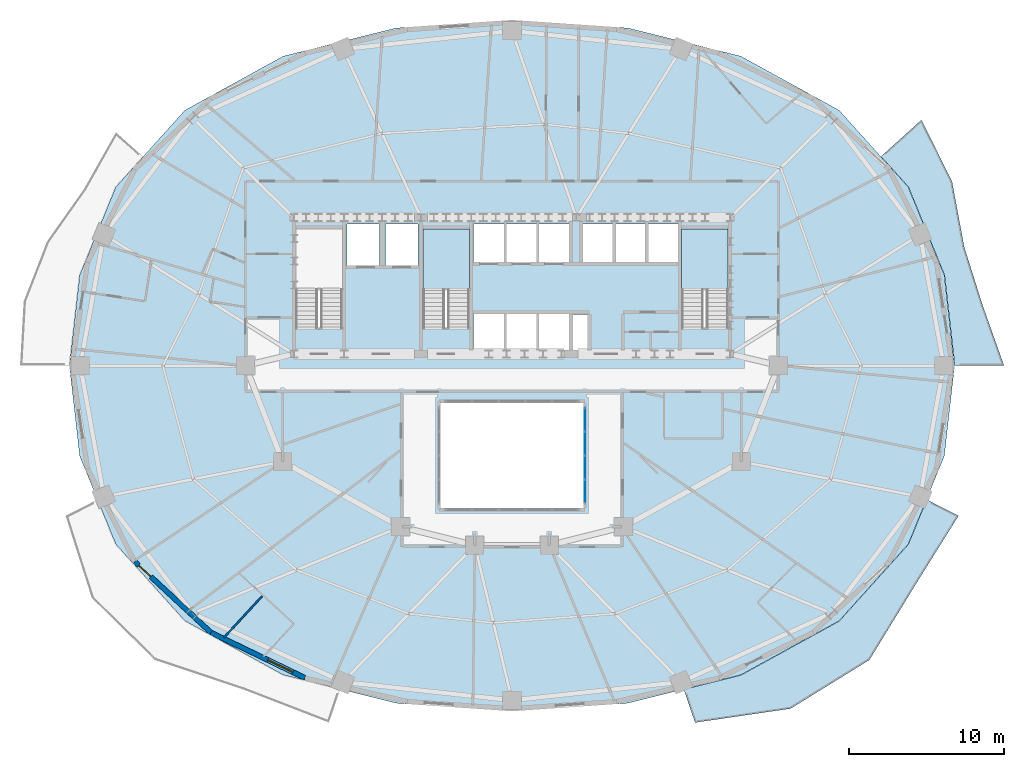
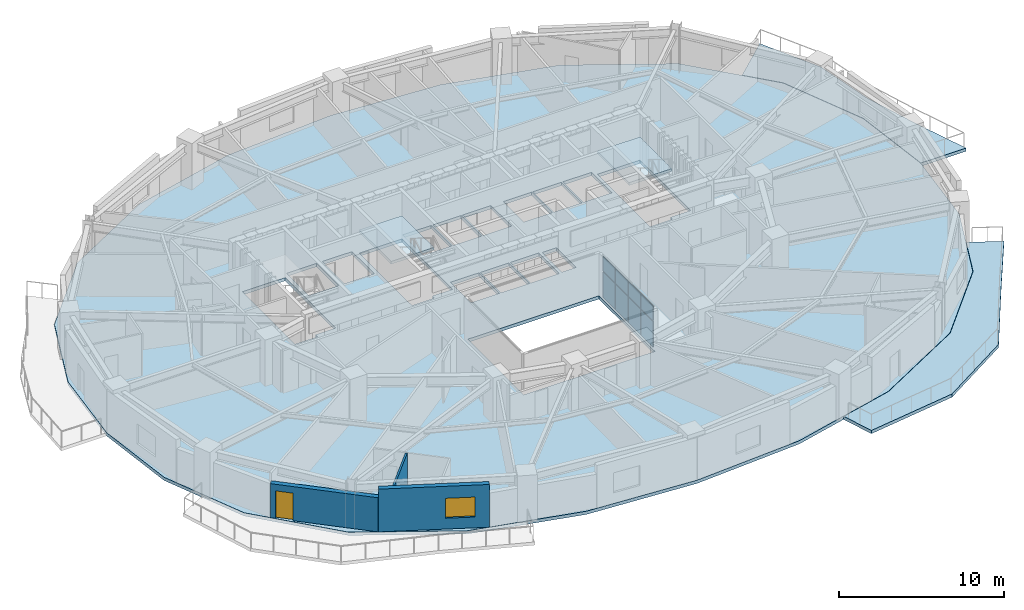
# One storey, part 6 of 14: 8 plates, 5 slabs, 3 walls, 1 door, 1 window, 2 openings, 3 elements without a shape of their own.
"""IFC4 building model written with IfcOpenShell, lengths in metres."""

from ifc_helpers import new_model, si_unit, direction, frame, frame_2d, origin, origin_2d, place, context, subcontext, project, spatial, polyline, rectangle, outline, extrude, material, layer, layer_set, type_object, element, fill, aggregate, save


model = new_model("IFC4")

# Units and contexts
model_context = context("Model", 3, precision=1e-05, world=origin(), true_north=direction((0.0, 1.0)))
body_context = subcontext(model_context, "Body", "Model", "MODEL_VIEW")
ifc_project = project(units=[si_unit("LENGTHUNIT", "METRE"), si_unit("AREAUNIT", "SQUARE_METRE"), si_unit("VOLUMEUNIT", "CUBIC_METRE"), si_unit("PLANEANGLEUNIT", "RADIAN"), si_unit("MASSUNIT", "GRAM", prefix="KILO")], contexts=[model_context])

# Site, building, storey
site_placement = place(None, origin())
site = spatial("IfcSite", under=ifc_project, at=site_placement, CompositionType="ELEMENT")
building_placement = place(site_placement, origin())
building = spatial("IfcBuilding", under=site, at=building_placement, Name="Haldorwick Loom Tower", CompositionType="ELEMENT")
storey_placement = place(building_placement, frame((0.0, 0.0, 102.5)))
storey = spatial("IfcBuildingStorey", under=building, at=storey_placement, Name="L27", CompositionType="ELEMENT", Elevation=102.5)

# Curtain wall, plates
ifc_material_1 = material(Name="Thermally Broken Anodized Aluminium Curtain Wall Framing", Category="aluminium")
curtain_wall_type = type_object("IfcCurtainWallType", Name="ARC-CW-03", PredefinedType="NOTDEFINED", material=ifc_material_1)
curtain_wall_placement = place(storey_placement, origin())
curtain_wall = element("IfcCurtainWall", 1, at=curtain_wall_placement, inside=storey, type_object=curtain_wall_type, Name="L27 Atrium Glazed Screen E", PredefinedType="NOTDEFINED")
ifc_material_2 = material(Name="Triple-Glazed Low-E Argon Insulated Glazing Unit", Category="glass")
ifc_layer_1 = layer(ifc_material_2, 0.04296875, Name="Triple-Glazed Low-E Argon Insulated Glazing Unit", Category="glass")
ifc_layer_set_1 = layer_set([ifc_layer_1], Name="Triple-Glazed Low-E Argon Insulated Glazing Unit")
plate_type = type_object("IfcPlateType", Name="ARC-CWP-03", PredefinedType="CURTAIN_PANEL", material=ifc_layer_set_1)
plate_1_placement = place(storey_placement, frame((40.699951171875, 22.508544921875, 0.066162109375), z_axis=(0.0, 0.0, 1.0), x_axis=(0.0, -1.0, 0.0)))
plate_1 = element("IfcPlate", 2, at=plate_1_placement, type_object=plate_type, Name="CW-03 panel 1.1", PredefinedType="CURTAIN_PANEL", context=body_context, shape_type="SweptSolid", body=[
    extrude(rectangle(XDim=1.450927734375, YDim=0.04296875, at=origin_2d()), origin(), (0.0, 0.0, 1.0), 1.90087890625),
])
plate_2_placement = place(storey_placement, frame((40.699951171875, 22.508544921875, 2.033203125), z_axis=(0.0, 0.0, 1.0), x_axis=(0.0, -1.0, 0.0)))
plate_2 = element("IfcPlate", 3, at=plate_2_placement, type_object=plate_type, Name="CW-03 panel 1.2", PredefinedType="CURTAIN_PANEL", context=body_context, shape_type="SweptSolid", body=[
    extrude(rectangle(XDim=1.450927734375, YDim=0.04296875, at=origin_2d()), origin(), (0.0, 0.0, 1.0), 1.071044921875),
])
plate_3_placement = place(storey_placement, frame((40.699951171875, 20.97509765625, 0.066162109375), z_axis=(0.0, 0.0, 1.0), x_axis=(0.0, -1.0, 0.0)))
plate_3 = element("IfcPlate", 4, at=plate_3_placement, type_object=plate_type, Name="CW-03 panel 2.1", PredefinedType="CURTAIN_PANEL", context=body_context, shape_type="SweptSolid", body=[
    extrude(rectangle(XDim=1.48388671875, YDim=0.04296875, at=origin_2d()), origin(), (0.0, 0.0, 1.0), 1.90087890625),
])
plate_4_placement = place(storey_placement, frame((40.699951171875, 20.97509765625, 2.033203125), z_axis=(0.0, 0.0, 1.0), x_axis=(0.0, -1.0, 0.0)))
plate_4 = element("IfcPlate", 5, at=plate_4_placement, type_object=plate_type, Name="CW-03 panel 2.2", PredefinedType="CURTAIN_PANEL", context=body_context, shape_type="SweptSolid", body=[
    extrude(rectangle(XDim=1.48388671875, YDim=0.04296875, at=origin_2d()), origin(), (0.0, 0.0, 1.0), 1.071044921875),
])
plate_5_placement = place(storey_placement, frame((40.699951171875, 19.425048828125, 0.066162109375), z_axis=(0.0, 0.0, 1.0), x_axis=(0.0, -1.0, 0.0)))
plate_5 = element("IfcPlate", 6, at=plate_5_placement, type_object=plate_type, Name="CW-03 panel 3.1", PredefinedType="CURTAIN_PANEL", context=body_context, shape_type="SweptSolid", body=[
    extrude(rectangle(XDim=1.48388671875, YDim=0.04296875, at=origin_2d()), origin(), (0.0, 0.0, 1.0), 1.90087890625),
])
plate_6_placement = place(storey_placement, frame((40.699951171875, 19.425048828125, 2.033203125), z_axis=(0.0, 0.0, 1.0), x_axis=(0.0, -1.0, 0.0)))
plate_6 = element("IfcPlate", 7, at=plate_6_placement, type_object=plate_type, Name="CW-03 panel 3.2", PredefinedType="CURTAIN_PANEL", context=body_context, shape_type="SweptSolid", body=[
    extrude(rectangle(XDim=1.48388671875, YDim=0.04296875, at=origin_2d()), origin(), (0.0, 0.0, 1.0), 1.071044921875),
])
plate_7_placement = place(storey_placement, frame((40.699951171875, 17.8916015625, 0.066162109375), z_axis=(0.0, 0.0, 1.0), x_axis=(0.0, -1.0, 0.0)))
plate_7 = element("IfcPlate", 8, at=plate_7_placement, type_object=plate_type, Name="CW-03 panel 4.1", PredefinedType="CURTAIN_PANEL", context=body_context, shape_type="SweptSolid", body=[
    extrude(rectangle(XDim=1.450927734375, YDim=0.04296875, at=origin_2d()), origin(), (0.0, 0.0, 1.0), 1.90087890625),
])
plate_8_placement = place(storey_placement, frame((40.699951171875, 17.8916015625, 2.033203125), z_axis=(0.0, 0.0, 1.0), x_axis=(0.0, -1.0, 0.0)))
plate_8 = element("IfcPlate", 9, at=plate_8_placement, type_object=plate_type, Name="CW-03 panel 4.2", PredefinedType="CURTAIN_PANEL", context=body_context, shape_type="SweptSolid", body=[
    extrude(rectangle(XDim=1.450927734375, YDim=0.04296875, at=origin_2d()), origin(), (0.0, 0.0, 1.0), 1.071044921875),
])
aggregate(curtain_wall, [plate_1, plate_2, plate_3, plate_4, plate_5, plate_6, plate_7, plate_8])

# Slabs
ifc_material_3 = material(Name="Concrete C40 (40 MPa)", Category="concrete")
ifc_layer_2 = layer(ifc_material_3, 0.239990234375, Name="Concrete C40 (40 MPa)", Category="concrete")
ifc_layer_set_2 = layer_set([ifc_layer_2], Name="Concrete C40 (40 MPa)")
slab_type_1 = type_object("IfcSlabType", Name="STR-SLB-BAL240", PredefinedType="FLOOR", material=ifc_layer_set_2)
slab_1_placement = place(storey_placement, frame((0.0, 0.0, -0.239990234375)))
element("IfcSlab", 10, at=slab_1_placement, inside=storey, type_object=slab_type_1, Name="L27 Sinusoidal Balcony Terrace BAL_SE", PredefinedType="FLOOR", context=body_context, shape_type="SweptSolid", body=[
    extrude(outline(polyline([(62.7587890625, 17.34912109375), (61.580078125, 14.468994140625), (61.579345703125, 14.4677734375), (61.578857421875, 14.466552734375), (61.578125, 14.465576171875), (61.5771484375, 14.464599609375), (57.11279296875, 9.51318359375), (57.11181640625, 9.51220703125), (57.1103515625, 9.510986328125), (57.10888671875, 9.51025390625), (50.767822265625, 6.0244140625), (50.7666015625, 6.023681640625), (50.765380859375, 6.023193359375), (50.76416015625, 6.022705078125), (47.08740234375, 5.105224609375), (47.81201171875, 2.964599609375), (53.978271484375, 3.8662109375), (59.06396484375, 7.01025390625), (62.07080078125, 11.92578125), (64.807373046875, 16.303955078125), (62.7587890625, 17.34912109375)])), origin(), (0.0, 0.0, 1.0), 0.239990234375),
])
slab_2_placement = place(storey_placement, frame((0.0, 0.0, -0.239990234375)))
element("IfcSlab", 11, at=slab_2_placement, inside=storey, type_object=slab_type_1, Name="L27 Sinusoidal Balcony Terrace BAL_ENE", PredefinedType="FLOOR", context=body_context, shape_type="SweptSolid", body=[
    extrude(outline(polyline([(59.81298828125, 39.491943359375), (61.5771484375, 37.535400390625), (61.578125, 37.534423828125), (61.578857421875, 37.533447265625), (61.579345703125, 37.5322265625), (61.580078125, 37.531005859375), (63.90869140625, 31.841796875), (63.9091796875, 31.840576171875), (63.909423828125, 31.83935546875), (63.90966796875, 31.837890625), (64.572509765625, 26.001708984375), (64.572509765625, 26.0), (67.74609375, 26.0), (66.357421875, 29.9150390625), (65.176025390625, 33.660888671875), (64.396728515625, 37.858642578125), (62.423095703125, 41.85400390625), (59.81298828125, 39.491943359375)])), origin(), (0.0, 0.0, 1.0), 0.239990234375),
])

# Stair, slab
stair_type = type_object("IfcStairType", Name="STR-STR-CORE", PredefinedType="HALF_TURN_STAIR", material=ifc_material_3)
stair_1_placement = place(storey_placement, origin())
stair_1 = element("IfcStair", 12, at=stair_1_placement, inside=storey, type_object=stair_type, Name="L27 Exit Stair ST-02", PredefinedType="HALF_TURN_STAIR")
ifc_layer_3 = layer(ifc_material_3, 0.199951171875, Name="Concrete C40 (40 MPa)", Category="concrete")
ifc_layer_set_3 = layer_set([ifc_layer_3], Name="Concrete C40 (40 MPa)")
slab_type_2 = type_object("IfcSlabType", Name="STR-SLB-LAND200", PredefinedType="LANDING", material=ifc_layer_set_3)
slab_3_placement = place(storey_placement, frame((0.0, 0.0, 1.52490234375)))
slab_3 = element("IfcSlab", 13, at=slab_3_placement, type_object=slab_type_2, Name="ST-02 landing 1", PredefinedType="LANDING", context=body_context, shape_type="SweptSolid", body=[
    extrude(outline(polyline([(49.949951171875, 30.919921875), (49.949951171875, 34.800048828125), (46.949951171875, 34.800048828125), (46.949951171875, 30.919921875), (49.949951171875, 30.919921875)])), origin(), (0.0, 0.0, 1.0), 0.2001953125),
])
aggregate(stair_1, [slab_3])

stair_2_placement = place(storey_placement, origin())
stair_2 = element("IfcStair", 14, at=stair_2_placement, inside=storey, type_object=stair_type, Name="L27 Exit Stair ST-03", PredefinedType="HALF_TURN_STAIR")
slab_4_placement = place(storey_placement, frame((0.0, 0.0, 1.52490234375)))
slab_4 = element("IfcSlab", 15, at=slab_4_placement, type_object=slab_type_2, Name="ST-03 landing 1", PredefinedType="LANDING", context=body_context, shape_type="SweptSolid", body=[
    extrude(outline(polyline([(33.25, 30.919921875), (33.25, 34.800048828125), (30.25, 34.800048828125), (30.25, 30.919921875), (33.25, 30.919921875)])), origin(), (0.0, 0.0, 1.0), 0.2001953125),
])
aggregate(stair_2, [slab_4])

# Slab
ifc_layer_4 = layer(ifc_material_3, 0.239990234375, Name="Concrete C40 (40 MPa)", Category="concrete")
ifc_layer_set_4 = layer_set([ifc_layer_4], Name="Concrete C40 (40 MPa)")
slab_type_3 = type_object("IfcSlabType", Name="STR-SLB-RES240", PredefinedType="FLOOR", material=ifc_layer_set_4)
slab_5_placement = place(storey_placement, frame((0.0, 0.0, -0.239990234375)))
element("IfcSlab", 16, at=slab_5_placement, inside=storey, type_object=slab_type_3, Name="L27 Residential Structural Floor Slab", PredefinedType="FLOOR", context=body_context, shape_type="SweptSolid", body=[
    extrude(outline(polyline([(57.101806640625, 9.523193359375), (61.566162109375, 14.474609375), (63.894775390625, 20.163818359375), (64.5576171875, 26.0), (63.894775390625, 31.836181640625), (61.566162109375, 37.525390625), (57.101806640625, 42.476806640625), (50.760498046875, 45.962646484375), (43.474365234375, 47.781005859375), (36.0, 48.29833984375), (28.525634765625, 47.781005859375), (21.239501953125, 45.962646484375), (14.898193359375, 42.476806640625), (10.433837890625, 37.525390625), (8.105224609375, 31.836181640625), (7.4423828125, 26.0), (8.105224609375, 20.163818359375), (10.433837890625, 14.474609375), (14.898193359375, 9.523193359375), (21.239501953125, 6.037353515625), (28.525634765625, 4.218994140625), (36.0, 3.70166015625), (43.474365234375, 4.218994140625), (50.760498046875, 6.037353515625), (57.101806640625, 9.523193359375)]), holes=[polyline([(31.39990234375, 23.60009765625), (40.60009765625, 23.60009765625), (40.60009765625, 16.800048828125), (31.39990234375, 16.800048828125), (31.39990234375, 23.60009765625)]), polyline([(33.5, 26.85009765625), (33.5, 29.35009765625), (35.5, 29.35009765625), (35.5, 26.85009765625), (33.5, 26.85009765625)]), polyline([(22.050048828125, 28.39990234375), (22.050048828125, 34.800048828125), (25.050048828125, 34.800048828125), (25.050048828125, 28.639892578125), (23.6201171875, 28.639892578125), (23.6201171875, 28.39990234375), (22.050048828125, 28.39990234375)]), polyline([(30.25, 28.39990234375), (30.25, 34.800048828125), (33.25, 34.800048828125), (33.25, 28.639892578125), (31.820068359375, 28.639892578125), (31.820068359375, 28.39990234375), (30.25, 28.39990234375)]), polyline([(25.35009765625, 32.449951171875), (25.35009765625, 35.14990234375), (27.449951171875, 35.14990234375), (27.449951171875, 32.449951171875), (25.35009765625, 32.449951171875)]), polyline([(27.85009765625, 32.449951171875), (27.85009765625, 35.14990234375), (29.949951171875, 35.14990234375), (29.949951171875, 32.449951171875), (27.85009765625, 32.449951171875)]), polyline([(33.5, 32.64990234375), (33.5, 35.14990234375), (35.5, 35.14990234375), (35.5, 32.64990234375), (33.5, 32.64990234375)]), polyline([(35.60009765625, 32.64990234375), (35.60009765625, 35.14990234375), (37.60009765625, 35.14990234375), (37.60009765625, 32.64990234375), (35.60009765625, 32.64990234375)]), polyline([(35.60009765625, 26.85009765625), (35.60009765625, 29.35009765625), (37.60009765625, 29.35009765625), (37.60009765625, 26.85009765625), (35.60009765625, 26.85009765625)]), polyline([(37.699951171875, 26.85009765625), (37.699951171875, 29.35009765625), (39.699951171875, 29.35009765625), (39.699951171875, 26.85009765625), (37.699951171875, 26.85009765625)]), polyline([(39.89990234375, 26.89990234375), (39.89990234375, 29.300048828125), (40.89990234375, 29.300048828125), (40.89990234375, 26.89990234375), (39.89990234375, 26.89990234375)]), polyline([(46.949951171875, 28.39990234375), (46.949951171875, 34.800048828125), (49.949951171875, 34.800048828125), (49.949951171875, 28.639892578125), (48.52001953125, 28.639892578125), (48.52001953125, 28.39990234375), (46.949951171875, 28.39990234375)]), polyline([(37.699951171875, 32.64990234375), (37.699951171875, 35.14990234375), (39.699951171875, 35.14990234375), (39.699951171875, 32.64990234375), (37.699951171875, 32.64990234375)]), polyline([(40.550048828125, 32.64990234375), (40.550048828125, 35.14990234375), (42.550048828125, 35.14990234375), (42.550048828125, 32.64990234375), (40.550048828125, 32.64990234375)]), polyline([(42.64990234375, 32.64990234375), (42.64990234375, 35.14990234375), (44.64990234375, 35.14990234375), (44.64990234375, 32.64990234375), (42.64990234375, 32.64990234375)]), polyline([(44.75, 32.64990234375), (44.75, 35.14990234375), (46.75, 35.14990234375), (46.75, 32.64990234375), (44.75, 32.64990234375)])]), origin(), (0.0, 0.0, 1.0), 0.239990234375),
])

# Wall, opening, door
ifc_material_4 = material(Name="Pressed Clay Face Brick and Insulated Masonry Backup Assembly", Category="masonry")
ifc_layer_5 = layer(ifc_material_4, 0.320068359375, Name="Pressed Clay Face Brick and Insulated Masonry Backup Assembly", Category="masonry")
ifc_layer_set_5 = layer_set([ifc_layer_5], Name="Pressed Clay Face Brick and Insulated Masonry Backup Assembly")
wall_type_1 = type_object("IfcWallType", Name="ARC-WL-EXT320", PredefinedType="STANDARD", material=ifc_layer_set_5)
wall_1_placement = place(storey_placement, frame((11.661376953125, 13.344482421875, 0.0), z_axis=(0.0, 0.0, 1.0), x_axis=(0.732137360086, -0.681157020052, 0.0)))
wall_1 = element("IfcWall", 17, at=wall_1_placement, inside=storey, type_object=wall_type_1, Name="L27 Brick Pier and Spandrel Wall 15", PredefinedType="STANDARD", context=body_context, shape_type="SweptSolid", body=[
    extrude(rectangle(XDim=6.709228515625, YDim=0.320068359375, at=frame_2d((3.3544921875, 0.0))), origin(), (0.0, 0.0, 1.0), 2.529052734375),
])
opening_1_placement = place(wall_1_placement, frame((0.340087890625, 0.0, 0.0)))
opening_1 = element("IfcOpeningElement", 18, at=opening_1_placement, cuts=wall_1, Name="Opening D-BL11", PredefinedType="OPENING", context=body_context, shape_type="SweptSolid", body=[
    extrude(rectangle(XDim=1.080078125, YDim=2.0400390625, at=frame_2d((0.5400390625, 1.02001953125))), frame((0.0, 0.169921875, 0.0), z_axis=(0.0, -1.0, 0.0), x_axis=(1.0, 0.0, 0.0)), (0.0, 0.0, 1.0), 0.340087890625),
])
door_type = type_object("IfcDoorType", Name="ARC-DR-BAL110", OperationType="NOTDEFINED", PredefinedType="DOOR", material=ifc_material_1)
door_placement = place(opening_1_placement, origin())
door = element("IfcDoor", 19, at=door_placement, inside=storey, type_object=door_type, Name="L27 Outdoor Terrace Door SLB-L27-BAL_SW", OperationType="SINGLE_SWING_LEFT", OverallHeight=2.0400390625, OverallWidth=1.080078125, PredefinedType="DOOR", context=body_context, shape_type="SweptSolid", body=[
    extrude(rectangle(XDim=1.080078125, YDim=2.0400390625, at=frame_2d((0.5400390625, 1.02001953125))), frame((0.0, 0.02490234375, 0.0), z_axis=(0.0, -1.0, 0.0), x_axis=(1.0, 0.0, 0.0)), (0.0, 0.0, 1.0), 0.050048828125),
])
fill(opening_1, door)

# Wall, opening, window
wall_2_placement = place(storey_placement, frame((16.573486328125, 8.7744140625, 0.0), z_axis=(0.0, 0.0, 1.0), x_axis=(0.900510094661, -0.434835106004, 0.0)))
wall_2 = element("IfcWall", 20, at=wall_2_placement, inside=storey, type_object=wall_type_1, Name="L27 Brick Pier and Spandrel Wall 16", PredefinedType="STANDARD", context=body_context, shape_type="SweptSolid", body=[
    extrude(rectangle(XDim=6.744873046875, YDim=0.320068359375, at=frame_2d((3.37255859375, 0.0))), origin(), (0.0, 0.0, 1.0), 3.169921875),
])
opening_2_placement = place(wall_2_placement, frame((4.064208984375, 0.0, 0.800048828125)))
opening_2 = element("IfcOpeningElement", 21, at=opening_2_placement, cuts=wall_2, Name="Opening W-01", PredefinedType="OPENING", context=body_context, shape_type="SweptSolid", body=[
    extrude(rectangle(XDim=1.800048828125, YDim=1.47998046875, at=frame_2d((0.89990234375, 0.739990234375))), frame((0.0, 0.169921875, 0.0), z_axis=(0.0, -1.0, 0.0), x_axis=(1.0, 0.0, 0.0)), (0.0, 0.0, 1.0), 0.340087890625),
])
window_type = type_object("IfcWindowType", Name="ARC-WIN-W180", PartitioningType="SINGLE_PANEL", PredefinedType="WINDOW", material=ifc_material_2)
window_placement = place(opening_2_placement, origin())
window = element("IfcWindow", 22, at=window_placement, inside=storey, type_object=window_type, Name="L27 Deep-Set Zone 7A Window 16", OverallHeight=1.47998046875, OverallWidth=1.800048828125, PartitioningType="SINGLE_PANEL", PredefinedType="WINDOW", context=body_context, shape_type="SweptSolid", body=[
    extrude(rectangle(XDim=1.800048828125, YDim=1.47998046875, at=frame_2d((0.89990234375, 0.739990234375))), frame((0.0, 0.030029296875, 0.0), z_axis=(0.0, -1.0, 0.0), x_axis=(1.0, 0.0, 0.0)), (0.0, 0.0, 1.0), 0.06005859375),
])
fill(opening_2, window)

# Wall
ifc_material_5 = material(Name="Acoustic Gypsum Stud Assembly STC 55")
ifc_layer_6 = layer(ifc_material_5, 0.1201171875, Name="Acoustic Gypsum Stud Assembly STC 55")
ifc_layer_set_6 = layer_set([ifc_layer_6], Name="Acoustic Gypsum Stud Assembly STC 55")
wall_type_2 = type_object("IfcWallType", Name="ARC-WL-PART120", PredefinedType="PARTITIONING", material=ifc_layer_set_6)
wall_3_placement = place(storey_placement, frame((19.889404296875, 11.1328125, 0.0), z_axis=(0.0, 0.0, 1.0), x_axis=(-0.678183111361, -0.73489296327, 0.0)))
element("IfcWall", 23, at=wall_3_placement, inside=storey, type_object=wall_type_2, Name="L27 Unit 27M Interior Partition", PredefinedType="PARTITIONING", context=body_context, shape_type="SweptSolid", body=[
    extrude(rectangle(XDim=3.659423828125, YDim=0.1201171875, at=frame_2d((1.82958984375, 0.0))), origin(), (0.0, 0.0, 1.0), 3.155029296875),
])

save(model, "model.ifc")
